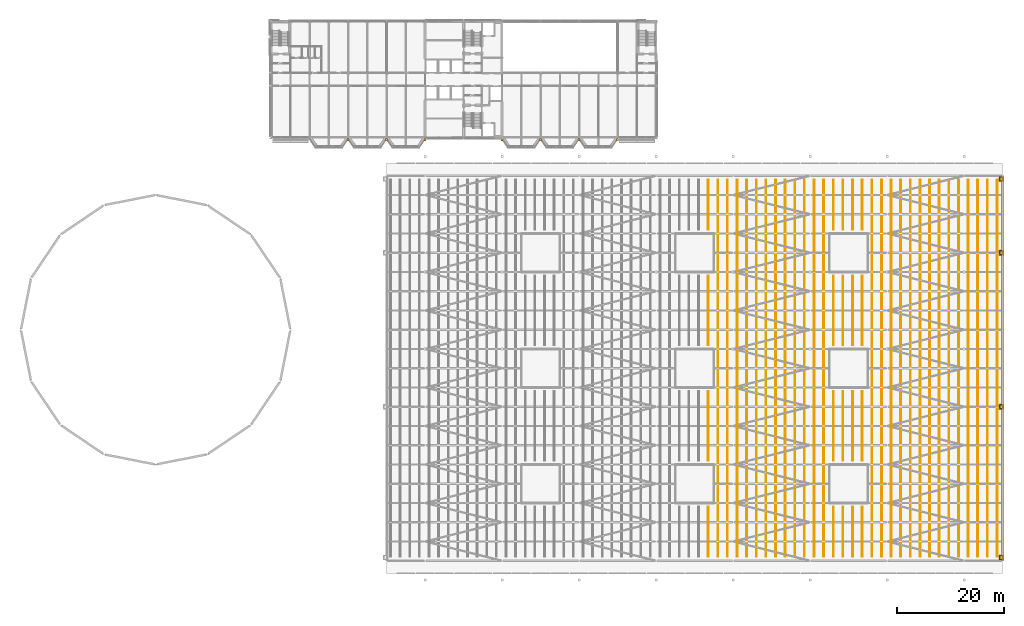
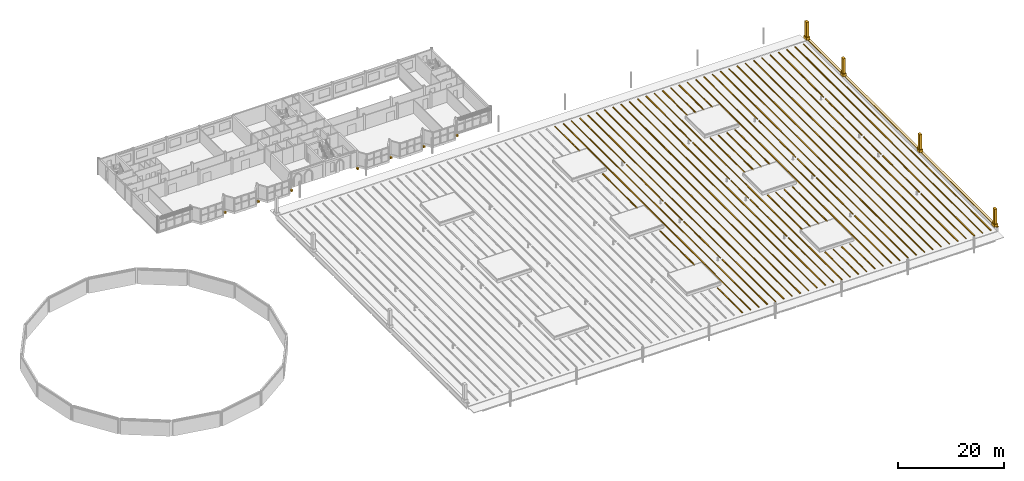
# One storey, part 119 of 120: 78 coverings.
"""IFC4 building model written with IfcOpenShell, lengths in metres."""

from ifc_helpers import new_model, si_unit, direction, frame, origin, origin_2d, place, context, subcontext, project, spatial, rectangle, extrude, material, layer, layer_set, type_object, element, save


model = new_model("IFC4")

# Units and contexts
model_context = context("Model", 3, precision=1e-05, world=origin(), true_north=direction((0.0, 1.0)))
body_context = subcontext(model_context, "Body", "Model", "MODEL_VIEW")
ifc_project = project(units=[si_unit("LENGTHUNIT", "METRE"), si_unit("AREAUNIT", "SQUARE_METRE"), si_unit("VOLUMEUNIT", "CUBIC_METRE"), si_unit("PLANEANGLEUNIT", "RADIAN"), si_unit("MASSUNIT", "GRAM", prefix="KILO")], contexts=[model_context])

# Site, building, storey
site_placement = place(None, origin())
site = spatial("IfcSite", under=ifc_project, at=site_placement, CompositionType="ELEMENT")
building_placement = place(site_placement, origin())
building = spatial("IfcBuilding", under=site, at=building_placement, Name="Kupolbacken Congress Centre", CompositionType="ELEMENT")
storey_placement = place(building_placement, frame((0.0, 0.0, 21.60009765625)))
storey = spatial("IfcBuildingStorey", under=building, at=storey_placement, Name="L06", CompositionType="ELEMENT", Elevation=21.60009765625)

# Coverings
ifc_material_1 = material(Name="Limestone cladding", Category="masonry")
ifc_layer_1 = layer(ifc_material_1, 0.1201171875)
ifc_layer_set_1 = layer_set([ifc_layer_1], Name="Limestone cladding")
covering_type_1 = type_object("IfcCoveringType", Name="CV1 limestone cladding band 120", PredefinedType="CLADDING", material=ifc_layer_set_1)
for number, where, z_axis, x_axis, name in (
    (1, (108.0, 121.958984375, -0.5), (0.0, 0.0, 1.0), (1.0, 0.0, 0.0), "E/T/bracket/L06/S/108/L"),
    (2, (115.199951171875, 121.958984375, -0.5), (0.0, 0.0, 1.0), (1.0, 0.0, 0.0), "E/T/bracket/L06/S/108/R"),
    (3, (122.39990234375, 121.958984375, -0.5), (0.0, 0.0, 1.0), (1.0, 0.0, 0.0), "E/T/bracket/L06/S/115.2/R"),
    (4, (129.60009765625, 121.958984375, -0.5), (0.0, 0.0, 1.0), (1.0, 0.0, 0.0), "E/T/bracket/L06/S/122.4/R"),
    (5, (79.199951171875, 121.958984375, -0.5), (0.0, 0.0, 1.0), (1.0, 0.0, 0.0), "E/T/bracket/L06/S/79.2/L"),
    (6, (86.39990234375, 121.958984375, -0.5), (0.0, 0.0, 1.0), (1.0, 0.0, 0.0), "E/T/bracket/L06/S/79.2/R"),
    (7, (93.60009765625, 121.958984375, -0.5), (0.0, 0.0, 1.0), (1.0, 0.0, 0.0), "E/T/bracket/L06/S/86.4/R"),
):
    element("IfcCovering", number, at=place(storey_placement, frame(where, z_axis=z_axis, x_axis=x_axis)), inside=storey, type_object=covering_type_1, Name=name, PredefinedType="CLADDING", context=body_context, shape_type="SweptSolid", body=[
        extrude(rectangle(XDim=0.39990234375, YDim=0.449951171875, at=origin_2d()), origin(), (0.0, 0.0, 1.0), 0.360107421875),
    ])
ifc_material_2 = material(Name="Limestone cladding", Category="masonry")
ifc_layer_2 = layer(ifc_material_2, 0.14990234375)
ifc_layer_set_2 = layer_set([ifc_layer_2], Name="Limestone cladding")
covering_type_2 = type_object("IfcCoveringType", Name="CV11 limestone parapet coping 150", PredefinedType="CLADDING", material=ifc_layer_set_2)
covering_1_placement = place(storey_placement, frame((201.60009765625, 79.199951171875, 1.099853515625), z_axis=(0.0, 0.0, 1.0), x_axis=(0.0, 1.0, 0.0)))
element("IfcCovering", 8, at=covering_1_placement, inside=storey, type_object=covering_type_2, Name="F/HR/coping/E", PredefinedType="CLADDING", context=body_context, shape_type="SweptSolid", body=[
    extrude(rectangle(XDim=72.0, YDim=0.5, at=origin_2d()), origin(), (0.0, 0.0, 1.0), 0.14990234375),
])
ifc_material_3 = material(Name="Standing seam zinc roofing on boarding", Category="metal")
ifc_layer_3 = layer(ifc_material_3, 0.080078125)
ifc_layer_set_3 = layer_set([ifc_layer_3], Name="Standing seam zinc roofing on boarding")
covering_type_3 = type_object("IfcCoveringType", Name="CV12 standing seam roof rib 80", PredefinedType="ROOFING", material=ifc_layer_set_3)
covering_2_placement = place(storey_placement, frame((146.56005859375, 48.625, 0.27001953125), z_axis=(0.0, 0.0, 1.0), x_axis=(0.0, 1.0, 0.0)))
element("IfcCovering", 9, at=covering_2_placement, inside=storey, type_object=covering_type_3, Name="F/HR/rib/33/0", PredefinedType="ROOFING", context=body_context, shape_type="SweptSolid", body=[
    extrude(rectangle(XDim=9.330078125, YDim=0.14990234375, at=origin_2d()), origin(), (0.0, 0.0, 1.0), 0.14990234375),
])
for number, where, z_axis, x_axis, name in (
    (10, (146.56005859375, 68.39990234375, 0.27001953125), (0.0, 0.0, 1.0), (0.0, 1.0, 0.0), "F/HR/rib/33/1"),
    (11, (146.56005859375, 90.0, 0.27001953125), (0.0, 0.0, 1.0), (0.0, 1.0, 0.0), "F/HR/rib/33/2"),
):
    element("IfcCovering", number, at=place(storey_placement, frame(where, z_axis=z_axis, x_axis=x_axis)), inside=storey, type_object=covering_type_3, Name=name, PredefinedType="ROOFING", context=body_context, shape_type="SweptSolid", body=[
        extrude(rectangle(XDim=12.97998046875, YDim=0.14990234375, at=origin_2d()), origin(), (0.0, 0.0, 1.0), 0.14990234375),
    ])
covering_3_placement = place(storey_placement, frame((146.56005859375, 109.77490234375, 0.27001953125), z_axis=(0.0, 0.0, 1.0), x_axis=(0.0, 1.0, 0.0)))
element("IfcCovering", 12, at=covering_3_placement, inside=storey, type_object=covering_type_3, Name="F/HR/rib/33/3", PredefinedType="ROOFING", context=body_context, shape_type="SweptSolid", body=[
    extrude(rectangle(XDim=9.330078125, YDim=0.14990234375, at=origin_2d()), origin(), (0.0, 0.0, 1.0), 0.14990234375),
])
for number, where, z_axis, x_axis, name in (
    (13, (148.360107421875, 79.199951171875, 0.27001953125), (0.0, 0.0, 1.0), (0.0, 1.0, 0.0), "F/HR/rib/34/0"),
    (14, (150.159912109375, 79.199951171875, 0.27001953125), (0.0, 0.0, 1.0), (0.0, 1.0, 0.0), "F/HR/rib/35/0"),
):
    element("IfcCovering", number, at=place(storey_placement, frame(where, z_axis=z_axis, x_axis=x_axis)), inside=storey, type_object=covering_type_3, Name=name, PredefinedType="ROOFING", context=body_context, shape_type="SweptSolid", body=[
        extrude(rectangle(XDim=70.47998046875, YDim=0.14990234375, at=origin_2d()), origin(), (0.0, 0.0, 1.0), 0.14990234375),
    ])
covering_4_placement = place(storey_placement, frame((151.9599609375, 52.41455078125, 0.27001953125), z_axis=(0.0, 0.0, 1.0), x_axis=(0.0, 1.0, 0.0)))
element("IfcCovering", 15, at=covering_4_placement, inside=storey, type_object=covering_type_3, Name="F/HR/rib/36/0", PredefinedType="ROOFING", context=body_context, shape_type="SweptSolid", body=[
    extrude(rectangle(XDim=16.9091796875, YDim=0.14990234375, at=origin_2d()), origin(), (0.0, 0.0, 1.0), 0.14990234375),
])
covering_5_placement = place(storey_placement, frame((151.9599609375, 68.39990234375, 0.27001953125), z_axis=(0.0, 0.0, 1.0), x_axis=(0.0, 1.0, 0.0)))
element("IfcCovering", 16, at=covering_5_placement, inside=storey, type_object=covering_type_3, Name="F/HR/rib/36/1", PredefinedType="ROOFING", context=body_context, shape_type="SweptSolid", body=[
    extrude(rectangle(XDim=13.73828125, YDim=0.14990234375, at=origin_2d()), origin(), (0.0, 0.0, 1.0), 0.14990234375),
])
covering_6_placement = place(storey_placement, frame((151.9599609375, 79.199951171875, 0.27001953125), z_axis=(0.0, 0.0, 1.0), x_axis=(0.0, 1.0, 0.0)))
element("IfcCovering", 17, at=covering_6_placement, inside=storey, type_object=covering_type_3, Name="F/HR/rib/36/2", PredefinedType="ROOFING", context=body_context, shape_type="SweptSolid", body=[
    extrude(rectangle(XDim=6.538330078125, YDim=0.14990234375, at=origin_2d()), origin(), (0.0, 0.0, 1.0), 0.14990234375),
])
covering_7_placement = place(storey_placement, frame((151.9599609375, 90.0, 0.27001953125), z_axis=(0.0, 0.0, 1.0), x_axis=(0.0, 1.0, 0.0)))
element("IfcCovering", 18, at=covering_7_placement, inside=storey, type_object=covering_type_3, Name="F/HR/rib/36/3", PredefinedType="ROOFING", context=body_context, shape_type="SweptSolid", body=[
    extrude(rectangle(XDim=13.73828125, YDim=0.14990234375, at=origin_2d()), origin(), (0.0, 0.0, 1.0), 0.14990234375),
])
covering_8_placement = place(storey_placement, frame((151.9599609375, 105.9853515625, 0.27001953125), z_axis=(0.0, 0.0, 1.0), x_axis=(0.0, 1.0, 0.0)))
element("IfcCovering", 19, at=covering_8_placement, inside=storey, type_object=covering_type_3, Name="F/HR/rib/36/4", PredefinedType="ROOFING", context=body_context, shape_type="SweptSolid", body=[
    extrude(rectangle(XDim=16.9091796875, YDim=0.14990234375, at=origin_2d()), origin(), (0.0, 0.0, 1.0), 0.14990234375),
])
for number, where, z_axis, x_axis, name in (
    (20, (153.760009765625, 79.199951171875, 0.27001953125), (0.0, 0.0, 1.0), (0.0, 1.0, 0.0), "F/HR/rib/37/0"),
    (21, (155.56005859375, 79.199951171875, 0.27001953125), (0.0, 0.0, 1.0), (0.0, 1.0, 0.0), "F/HR/rib/38/0"),
    (22, (157.360107421875, 79.199951171875, 0.27001953125), (0.0, 0.0, 1.0), (0.0, 1.0, 0.0), "F/HR/rib/39/0"),
    (23, (159.159912109375, 79.199951171875, 0.27001953125), (0.0, 0.0, 1.0), (0.0, 1.0, 0.0), "F/HR/rib/40/0"),
    (24, (160.9599609375, 79.199951171875, 0.27001953125), (0.0, 0.0, 1.0), (0.0, 1.0, 0.0), "F/HR/rib/41/0"),
    (25, (162.760009765625, 79.199951171875, 0.27001953125), (0.0, 0.0, 1.0), (0.0, 1.0, 0.0), "F/HR/rib/42/0"),
    (26, (164.56005859375, 79.199951171875, 0.27001953125), (0.0, 0.0, 1.0), (0.0, 1.0, 0.0), "F/HR/rib/43/0"),
):
    element("IfcCovering", number, at=place(storey_placement, frame(where, z_axis=z_axis, x_axis=x_axis)), inside=storey, type_object=covering_type_3, Name=name, PredefinedType="ROOFING", context=body_context, shape_type="SweptSolid", body=[
        extrude(rectangle(XDim=70.47998046875, YDim=0.14990234375, at=origin_2d()), origin(), (0.0, 0.0, 1.0), 0.14990234375),
    ])
covering_9_placement = place(storey_placement, frame((166.360107421875, 52.41455078125, 0.27001953125), z_axis=(0.0, 0.0, 1.0), x_axis=(0.0, 1.0, 0.0)))
element("IfcCovering", 27, at=covering_9_placement, inside=storey, type_object=covering_type_3, Name="F/HR/rib/44/0", PredefinedType="ROOFING", context=body_context, shape_type="SweptSolid", body=[
    extrude(rectangle(XDim=16.9091796875, YDim=0.14990234375, at=origin_2d()), origin(), (0.0, 0.0, 1.0), 0.14990234375),
])
covering_10_placement = place(storey_placement, frame((166.360107421875, 68.39990234375, 0.27001953125), z_axis=(0.0, 0.0, 1.0), x_axis=(0.0, 1.0, 0.0)))
element("IfcCovering", 28, at=covering_10_placement, inside=storey, type_object=covering_type_3, Name="F/HR/rib/44/1", PredefinedType="ROOFING", context=body_context, shape_type="SweptSolid", body=[
    extrude(rectangle(XDim=13.73828125, YDim=0.14990234375, at=origin_2d()), origin(), (0.0, 0.0, 1.0), 0.14990234375),
])
covering_11_placement = place(storey_placement, frame((166.360107421875, 79.199951171875, 0.27001953125), z_axis=(0.0, 0.0, 1.0), x_axis=(0.0, 1.0, 0.0)))
element("IfcCovering", 29, at=covering_11_placement, inside=storey, type_object=covering_type_3, Name="F/HR/rib/44/2", PredefinedType="ROOFING", context=body_context, shape_type="SweptSolid", body=[
    extrude(rectangle(XDim=6.538330078125, YDim=0.14990234375, at=origin_2d()), origin(), (0.0, 0.0, 1.0), 0.14990234375),
])
covering_12_placement = place(storey_placement, frame((166.360107421875, 90.0, 0.27001953125), z_axis=(0.0, 0.0, 1.0), x_axis=(0.0, 1.0, 0.0)))
element("IfcCovering", 30, at=covering_12_placement, inside=storey, type_object=covering_type_3, Name="F/HR/rib/44/3", PredefinedType="ROOFING", context=body_context, shape_type="SweptSolid", body=[
    extrude(rectangle(XDim=13.73828125, YDim=0.14990234375, at=origin_2d()), origin(), (0.0, 0.0, 1.0), 0.14990234375),
])
covering_13_placement = place(storey_placement, frame((166.360107421875, 105.9853515625, 0.27001953125), z_axis=(0.0, 0.0, 1.0), x_axis=(0.0, 1.0, 0.0)))
element("IfcCovering", 31, at=covering_13_placement, inside=storey, type_object=covering_type_3, Name="F/HR/rib/44/4", PredefinedType="ROOFING", context=body_context, shape_type="SweptSolid", body=[
    extrude(rectangle(XDim=16.9091796875, YDim=0.14990234375, at=origin_2d()), origin(), (0.0, 0.0, 1.0), 0.14990234375),
])
covering_14_placement = place(storey_placement, frame((168.159912109375, 79.199951171875, 0.27001953125), z_axis=(0.0, 0.0, 1.0), x_axis=(0.0, 1.0, 0.0)))
element("IfcCovering", 32, at=covering_14_placement, inside=storey, type_object=covering_type_3, Name="F/HR/rib/45/0", PredefinedType="ROOFING", context=body_context, shape_type="SweptSolid", body=[
    extrude(rectangle(XDim=70.47998046875, YDim=0.14990234375, at=origin_2d()), origin(), (0.0, 0.0, 1.0), 0.14990234375),
])
covering_15_placement = place(storey_placement, frame((169.9599609375, 48.625, 0.27001953125), z_axis=(0.0, 0.0, 1.0), x_axis=(0.0, 1.0, 0.0)))
element("IfcCovering", 33, at=covering_15_placement, inside=storey, type_object=covering_type_3, Name="F/HR/rib/46/0", PredefinedType="ROOFING", context=body_context, shape_type="SweptSolid", body=[
    extrude(rectangle(XDim=9.330078125, YDim=0.14990234375, at=origin_2d()), origin(), (0.0, 0.0, 1.0), 0.14990234375),
])
for number, where, z_axis, x_axis, name in (
    (34, (169.9599609375, 68.39990234375, 0.27001953125), (0.0, 0.0, 1.0), (0.0, 1.0, 0.0), "F/HR/rib/46/1"),
    (35, (169.9599609375, 90.0, 0.27001953125), (0.0, 0.0, 1.0), (0.0, 1.0, 0.0), "F/HR/rib/46/2"),
):
    element("IfcCovering", number, at=place(storey_placement, frame(where, z_axis=z_axis, x_axis=x_axis)), inside=storey, type_object=covering_type_3, Name=name, PredefinedType="ROOFING", context=body_context, shape_type="SweptSolid", body=[
        extrude(rectangle(XDim=12.97998046875, YDim=0.14990234375, at=origin_2d()), origin(), (0.0, 0.0, 1.0), 0.14990234375),
    ])
for number, where, z_axis, x_axis, name in (
    (36, (169.9599609375, 109.77490234375, 0.27001953125), (0.0, 0.0, 1.0), (0.0, 1.0, 0.0), "F/HR/rib/46/3"),
    (37, (171.760009765625, 48.625, 0.27001953125), (0.0, 0.0, 1.0), (0.0, 1.0, 0.0), "F/HR/rib/47/0"),
):
    element("IfcCovering", number, at=place(storey_placement, frame(where, z_axis=z_axis, x_axis=x_axis)), inside=storey, type_object=covering_type_3, Name=name, PredefinedType="ROOFING", context=body_context, shape_type="SweptSolid", body=[
        extrude(rectangle(XDim=9.330078125, YDim=0.14990234375, at=origin_2d()), origin(), (0.0, 0.0, 1.0), 0.14990234375),
    ])
for number, where, z_axis, x_axis, name in (
    (38, (171.760009765625, 68.39990234375, 0.27001953125), (0.0, 0.0, 1.0), (0.0, 1.0, 0.0), "F/HR/rib/47/1"),
    (39, (171.760009765625, 90.0, 0.27001953125), (0.0, 0.0, 1.0), (0.0, 1.0, 0.0), "F/HR/rib/47/2"),
):
    element("IfcCovering", number, at=place(storey_placement, frame(where, z_axis=z_axis, x_axis=x_axis)), inside=storey, type_object=covering_type_3, Name=name, PredefinedType="ROOFING", context=body_context, shape_type="SweptSolid", body=[
        extrude(rectangle(XDim=12.97998046875, YDim=0.14990234375, at=origin_2d()), origin(), (0.0, 0.0, 1.0), 0.14990234375),
    ])
for number, where, z_axis, x_axis, name in (
    (40, (171.760009765625, 109.77490234375, 0.27001953125), (0.0, 0.0, 1.0), (0.0, 1.0, 0.0), "F/HR/rib/47/3"),
    (41, (173.56005859375, 48.625, 0.27001953125), (0.0, 0.0, 1.0), (0.0, 1.0, 0.0), "F/HR/rib/48/0"),
):
    element("IfcCovering", number, at=place(storey_placement, frame(where, z_axis=z_axis, x_axis=x_axis)), inside=storey, type_object=covering_type_3, Name=name, PredefinedType="ROOFING", context=body_context, shape_type="SweptSolid", body=[
        extrude(rectangle(XDim=9.330078125, YDim=0.14990234375, at=origin_2d()), origin(), (0.0, 0.0, 1.0), 0.14990234375),
    ])
for number, where, z_axis, x_axis, name in (
    (42, (173.56005859375, 68.39990234375, 0.27001953125), (0.0, 0.0, 1.0), (0.0, 1.0, 0.0), "F/HR/rib/48/1"),
    (43, (173.56005859375, 90.0, 0.27001953125), (0.0, 0.0, 1.0), (0.0, 1.0, 0.0), "F/HR/rib/48/2"),
):
    element("IfcCovering", number, at=place(storey_placement, frame(where, z_axis=z_axis, x_axis=x_axis)), inside=storey, type_object=covering_type_3, Name=name, PredefinedType="ROOFING", context=body_context, shape_type="SweptSolid", body=[
        extrude(rectangle(XDim=12.97998046875, YDim=0.14990234375, at=origin_2d()), origin(), (0.0, 0.0, 1.0), 0.14990234375),
    ])
for number, where, z_axis, x_axis, name in (
    (44, (173.56005859375, 109.77490234375, 0.27001953125), (0.0, 0.0, 1.0), (0.0, 1.0, 0.0), "F/HR/rib/48/3"),
    (45, (175.360107421875, 48.625, 0.27001953125), (0.0, 0.0, 1.0), (0.0, 1.0, 0.0), "F/HR/rib/49/0"),
):
    element("IfcCovering", number, at=place(storey_placement, frame(where, z_axis=z_axis, x_axis=x_axis)), inside=storey, type_object=covering_type_3, Name=name, PredefinedType="ROOFING", context=body_context, shape_type="SweptSolid", body=[
        extrude(rectangle(XDim=9.330078125, YDim=0.14990234375, at=origin_2d()), origin(), (0.0, 0.0, 1.0), 0.14990234375),
    ])
for number, where, z_axis, x_axis, name in (
    (46, (175.360107421875, 68.39990234375, 0.27001953125), (0.0, 0.0, 1.0), (0.0, 1.0, 0.0), "F/HR/rib/49/1"),
    (47, (175.360107421875, 90.0, 0.27001953125), (0.0, 0.0, 1.0), (0.0, 1.0, 0.0), "F/HR/rib/49/2"),
):
    element("IfcCovering", number, at=place(storey_placement, frame(where, z_axis=z_axis, x_axis=x_axis)), inside=storey, type_object=covering_type_3, Name=name, PredefinedType="ROOFING", context=body_context, shape_type="SweptSolid", body=[
        extrude(rectangle(XDim=12.97998046875, YDim=0.14990234375, at=origin_2d()), origin(), (0.0, 0.0, 1.0), 0.14990234375),
    ])
covering_16_placement = place(storey_placement, frame((175.360107421875, 109.77490234375, 0.27001953125), z_axis=(0.0, 0.0, 1.0), x_axis=(0.0, 1.0, 0.0)))
element("IfcCovering", 48, at=covering_16_placement, inside=storey, type_object=covering_type_3, Name="F/HR/rib/49/3", PredefinedType="ROOFING", context=body_context, shape_type="SweptSolid", body=[
    extrude(rectangle(XDim=9.330078125, YDim=0.14990234375, at=origin_2d()), origin(), (0.0, 0.0, 1.0), 0.14990234375),
])
for number, where, z_axis, x_axis, name in (
    (49, (177.159912109375, 79.199951171875, 0.27001953125), (0.0, 0.0, 1.0), (0.0, 1.0, 0.0), "F/HR/rib/50/0"),
    (50, (178.9599609375, 79.199951171875, 0.27001953125), (0.0, 0.0, 1.0), (0.0, 1.0, 0.0), "F/HR/rib/51/0"),
):
    element("IfcCovering", number, at=place(storey_placement, frame(where, z_axis=z_axis, x_axis=x_axis)), inside=storey, type_object=covering_type_3, Name=name, PredefinedType="ROOFING", context=body_context, shape_type="SweptSolid", body=[
        extrude(rectangle(XDim=70.47998046875, YDim=0.14990234375, at=origin_2d()), origin(), (0.0, 0.0, 1.0), 0.14990234375),
    ])
covering_17_placement = place(storey_placement, frame((180.760009765625, 52.41455078125, 0.27001953125), z_axis=(0.0, 0.0, 1.0), x_axis=(0.0, 1.0, 0.0)))
element("IfcCovering", 51, at=covering_17_placement, inside=storey, type_object=covering_type_3, Name="F/HR/rib/52/0", PredefinedType="ROOFING", context=body_context, shape_type="SweptSolid", body=[
    extrude(rectangle(XDim=16.9091796875, YDim=0.14990234375, at=origin_2d()), origin(), (0.0, 0.0, 1.0), 0.14990234375),
])
covering_18_placement = place(storey_placement, frame((180.760009765625, 68.39990234375, 0.27001953125), z_axis=(0.0, 0.0, 1.0), x_axis=(0.0, 1.0, 0.0)))
element("IfcCovering", 52, at=covering_18_placement, inside=storey, type_object=covering_type_3, Name="F/HR/rib/52/1", PredefinedType="ROOFING", context=body_context, shape_type="SweptSolid", body=[
    extrude(rectangle(XDim=13.73828125, YDim=0.14990234375, at=origin_2d()), origin(), (0.0, 0.0, 1.0), 0.14990234375),
])
covering_19_placement = place(storey_placement, frame((180.760009765625, 79.199951171875, 0.27001953125), z_axis=(0.0, 0.0, 1.0), x_axis=(0.0, 1.0, 0.0)))
element("IfcCovering", 53, at=covering_19_placement, inside=storey, type_object=covering_type_3, Name="F/HR/rib/52/2", PredefinedType="ROOFING", context=body_context, shape_type="SweptSolid", body=[
    extrude(rectangle(XDim=6.538330078125, YDim=0.14990234375, at=origin_2d()), origin(), (0.0, 0.0, 1.0), 0.14990234375),
])
covering_20_placement = place(storey_placement, frame((180.760009765625, 90.0, 0.27001953125), z_axis=(0.0, 0.0, 1.0), x_axis=(0.0, 1.0, 0.0)))
element("IfcCovering", 54, at=covering_20_placement, inside=storey, type_object=covering_type_3, Name="F/HR/rib/52/3", PredefinedType="ROOFING", context=body_context, shape_type="SweptSolid", body=[
    extrude(rectangle(XDim=13.73828125, YDim=0.14990234375, at=origin_2d()), origin(), (0.0, 0.0, 1.0), 0.14990234375),
])
covering_21_placement = place(storey_placement, frame((180.760009765625, 105.9853515625, 0.27001953125), z_axis=(0.0, 0.0, 1.0), x_axis=(0.0, 1.0, 0.0)))
element("IfcCovering", 55, at=covering_21_placement, inside=storey, type_object=covering_type_3, Name="F/HR/rib/52/4", PredefinedType="ROOFING", context=body_context, shape_type="SweptSolid", body=[
    extrude(rectangle(XDim=16.9091796875, YDim=0.14990234375, at=origin_2d()), origin(), (0.0, 0.0, 1.0), 0.14990234375),
])
for number, where, z_axis, x_axis, name in (
    (56, (182.56005859375, 79.199951171875, 0.27001953125), (0.0, 0.0, 1.0), (0.0, 1.0, 0.0), "F/HR/rib/53/0"),
    (57, (184.360107421875, 79.199951171875, 0.27001953125), (0.0, 0.0, 1.0), (0.0, 1.0, 0.0), "F/HR/rib/54/0"),
    (58, (186.159912109375, 79.199951171875, 0.27001953125), (0.0, 0.0, 1.0), (0.0, 1.0, 0.0), "F/HR/rib/55/0"),
    (59, (187.9599609375, 79.199951171875, 0.27001953125), (0.0, 0.0, 1.0), (0.0, 1.0, 0.0), "F/HR/rib/56/0"),
    (60, (189.760009765625, 79.199951171875, 0.27001953125), (0.0, 0.0, 1.0), (0.0, 1.0, 0.0), "F/HR/rib/57/0"),
    (61, (191.56005859375, 79.199951171875, 0.27001953125), (0.0, 0.0, 1.0), (0.0, 1.0, 0.0), "F/HR/rib/58/0"),
    (62, (193.360107421875, 79.199951171875, 0.27001953125), (0.0, 0.0, 1.0), (0.0, 1.0, 0.0), "F/HR/rib/59/0"),
):
    element("IfcCovering", number, at=place(storey_placement, frame(where, z_axis=z_axis, x_axis=x_axis)), inside=storey, type_object=covering_type_3, Name=name, PredefinedType="ROOFING", context=body_context, shape_type="SweptSolid", body=[
        extrude(rectangle(XDim=70.47998046875, YDim=0.14990234375, at=origin_2d()), origin(), (0.0, 0.0, 1.0), 0.14990234375),
    ])
covering_22_placement = place(storey_placement, frame((195.159912109375, 52.41455078125, 0.27001953125), z_axis=(0.0, 0.0, 1.0), x_axis=(0.0, 1.0, 0.0)))
element("IfcCovering", 63, at=covering_22_placement, inside=storey, type_object=covering_type_3, Name="F/HR/rib/60/0", PredefinedType="ROOFING", context=body_context, shape_type="SweptSolid", body=[
    extrude(rectangle(XDim=16.9091796875, YDim=0.14990234375, at=origin_2d()), origin(), (0.0, 0.0, 1.0), 0.14990234375),
])
covering_23_placement = place(storey_placement, frame((195.159912109375, 68.39990234375, 0.27001953125), z_axis=(0.0, 0.0, 1.0), x_axis=(0.0, 1.0, 0.0)))
element("IfcCovering", 64, at=covering_23_placement, inside=storey, type_object=covering_type_3, Name="F/HR/rib/60/1", PredefinedType="ROOFING", context=body_context, shape_type="SweptSolid", body=[
    extrude(rectangle(XDim=13.73828125, YDim=0.14990234375, at=origin_2d()), origin(), (0.0, 0.0, 1.0), 0.14990234375),
])
covering_24_placement = place(storey_placement, frame((195.159912109375, 79.199951171875, 0.27001953125), z_axis=(0.0, 0.0, 1.0), x_axis=(0.0, 1.0, 0.0)))
element("IfcCovering", 65, at=covering_24_placement, inside=storey, type_object=covering_type_3, Name="F/HR/rib/60/2", PredefinedType="ROOFING", context=body_context, shape_type="SweptSolid", body=[
    extrude(rectangle(XDim=6.538330078125, YDim=0.14990234375, at=origin_2d()), origin(), (0.0, 0.0, 1.0), 0.14990234375),
])
covering_25_placement = place(storey_placement, frame((195.159912109375, 90.0, 0.27001953125), z_axis=(0.0, 0.0, 1.0), x_axis=(0.0, 1.0, 0.0)))
element("IfcCovering", 66, at=covering_25_placement, inside=storey, type_object=covering_type_3, Name="F/HR/rib/60/3", PredefinedType="ROOFING", context=body_context, shape_type="SweptSolid", body=[
    extrude(rectangle(XDim=13.73828125, YDim=0.14990234375, at=origin_2d()), origin(), (0.0, 0.0, 1.0), 0.14990234375),
])
covering_26_placement = place(storey_placement, frame((195.159912109375, 105.9853515625, 0.27001953125), z_axis=(0.0, 0.0, 1.0), x_axis=(0.0, 1.0, 0.0)))
element("IfcCovering", 67, at=covering_26_placement, inside=storey, type_object=covering_type_3, Name="F/HR/rib/60/4", PredefinedType="ROOFING", context=body_context, shape_type="SweptSolid", body=[
    extrude(rectangle(XDim=16.9091796875, YDim=0.14990234375, at=origin_2d()), origin(), (0.0, 0.0, 1.0), 0.14990234375),
])
for number, where, z_axis, x_axis, name in (
    (68, (196.9599609375, 79.199951171875, 0.27001953125), (0.0, 0.0, 1.0), (0.0, 1.0, 0.0), "F/HR/rib/61/0"),
    (69, (198.760009765625, 79.199951171875, 0.27001953125), (0.0, 0.0, 1.0), (0.0, 1.0, 0.0), "F/HR/rib/62/0"),
    (70, (200.56005859375, 79.199951171875, 0.27001953125), (0.0, 0.0, 1.0), (0.0, 1.0, 0.0), "F/HR/rib/63/0"),
):
    element("IfcCovering", number, at=place(storey_placement, frame(where, z_axis=z_axis, x_axis=x_axis)), inside=storey, type_object=covering_type_3, Name=name, PredefinedType="ROOFING", context=body_context, shape_type="SweptSolid", body=[
        extrude(rectangle(XDim=70.47998046875, YDim=0.14990234375, at=origin_2d()), origin(), (0.0, 0.0, 1.0), 0.14990234375),
    ])
ifc_material_4 = material(Name="Limestone cladding", Category="masonry")
ifc_layer_4 = layer(ifc_material_4, 0.5)
ifc_layer_set_4 = layer_set([ifc_layer_4], Name="Limestone cladding")
covering_type_4 = type_object("IfcCoveringType", Name="CV8 limestone drum pier 500", PredefinedType="CLADDING", material=ifc_layer_set_4)
covering_27_placement = place(storey_placement, frame((201.35009765625, 43.800048828125, 1.249755859375), z_axis=(0.0, 0.0, 1.0), x_axis=(0.0, 1.0, 0.0)))
element("IfcCovering", 71, at=covering_27_placement, inside=storey, type_object=covering_type_4, Name="F/HR/pin/E/00/base", PredefinedType="CLADDING", context=body_context, shape_type="SweptSolid", body=[
    extrude(rectangle(XDim=1.0, YDim=0.800048828125, at=origin_2d()), origin(), (0.0, 0.0, 1.0), 0.60009765625),
])
covering_28_placement = place(storey_placement, frame((201.35009765625, 43.800048828125, 1.849853515625), z_axis=(0.0, 0.0, 1.0), x_axis=(0.0, 1.0, 0.0)))
element("IfcCovering", 72, at=covering_28_placement, inside=storey, type_object=covering_type_4, Name="F/HR/pin/E/00/shaft", PredefinedType="CLADDING", context=body_context, shape_type="SweptSolid", body=[
    extrude(rectangle(XDim=0.699951171875, YDim=0.5, at=origin_2d()), origin(), (0.0, 0.0, 1.0), 3.39990234375),
])
covering_29_placement = place(storey_placement, frame((201.35009765625, 72.0, 1.249755859375), z_axis=(0.0, 0.0, 1.0), x_axis=(0.0, 1.0, 0.0)))
element("IfcCovering", 73, at=covering_29_placement, inside=storey, type_object=covering_type_4, Name="F/HR/pin/E/01/base", PredefinedType="CLADDING", context=body_context, shape_type="SweptSolid", body=[
    extrude(rectangle(XDim=1.0, YDim=0.800048828125, at=origin_2d()), origin(), (0.0, 0.0, 1.0), 0.60009765625),
])
covering_30_placement = place(storey_placement, frame((201.35009765625, 72.0, 1.849853515625), z_axis=(0.0, 0.0, 1.0), x_axis=(0.0, 1.0, 0.0)))
element("IfcCovering", 74, at=covering_30_placement, inside=storey, type_object=covering_type_4, Name="F/HR/pin/E/01/shaft", PredefinedType="CLADDING", context=body_context, shape_type="SweptSolid", body=[
    extrude(rectangle(XDim=0.699951171875, YDim=0.5, at=origin_2d()), origin(), (0.0, 0.0, 1.0), 3.39990234375),
])
covering_31_placement = place(storey_placement, frame((201.35009765625, 100.800048828125, 1.249755859375), z_axis=(0.0, 0.0, 1.0), x_axis=(0.0, 1.0, 0.0)))
element("IfcCovering", 75, at=covering_31_placement, inside=storey, type_object=covering_type_4, Name="F/HR/pin/E/02/base", PredefinedType="CLADDING", context=body_context, shape_type="SweptSolid", body=[
    extrude(rectangle(XDim=1.0, YDim=0.800048828125, at=origin_2d()), origin(), (0.0, 0.0, 1.0), 0.60009765625),
])
covering_32_placement = place(storey_placement, frame((201.35009765625, 100.800048828125, 1.849853515625), z_axis=(0.0, 0.0, 1.0), x_axis=(0.0, 1.0, 0.0)))
element("IfcCovering", 76, at=covering_32_placement, inside=storey, type_object=covering_type_4, Name="F/HR/pin/E/02/shaft", PredefinedType="CLADDING", context=body_context, shape_type="SweptSolid", body=[
    extrude(rectangle(XDim=0.699951171875, YDim=0.5, at=origin_2d()), origin(), (0.0, 0.0, 1.0), 3.39990234375),
])
covering_33_placement = place(storey_placement, frame((201.35009765625, 114.60009765625, 1.249755859375), z_axis=(0.0, 0.0, 1.0), x_axis=(0.0, 1.0, 0.0)))
element("IfcCovering", 77, at=covering_33_placement, inside=storey, type_object=covering_type_4, Name="F/HR/pin/E/03/base", PredefinedType="CLADDING", context=body_context, shape_type="SweptSolid", body=[
    extrude(rectangle(XDim=1.0, YDim=0.800048828125, at=origin_2d()), origin(), (0.0, 0.0, 1.0), 0.60009765625),
])
covering_34_placement = place(storey_placement, frame((201.35009765625, 114.60009765625, 1.849853515625), z_axis=(0.0, 0.0, 1.0), x_axis=(0.0, 1.0, 0.0)))
element("IfcCovering", 78, at=covering_34_placement, inside=storey, type_object=covering_type_4, Name="F/HR/pin/E/03/shaft", PredefinedType="CLADDING", context=body_context, shape_type="SweptSolid", body=[
    extrude(rectangle(XDim=0.699951171875, YDim=0.5, at=origin_2d()), origin(), (0.0, 0.0, 1.0), 3.39990234375),
])

save(model, "model.ifc")
